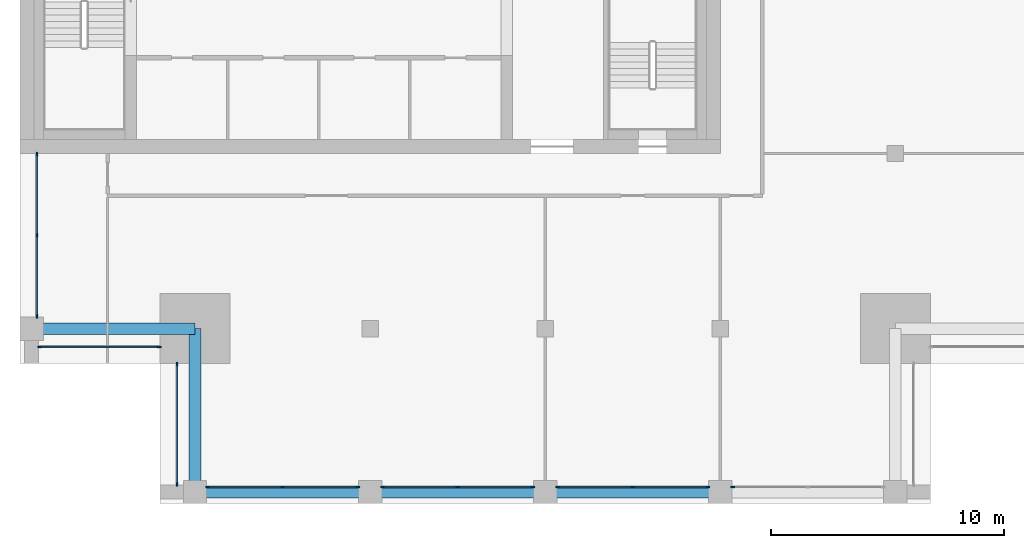
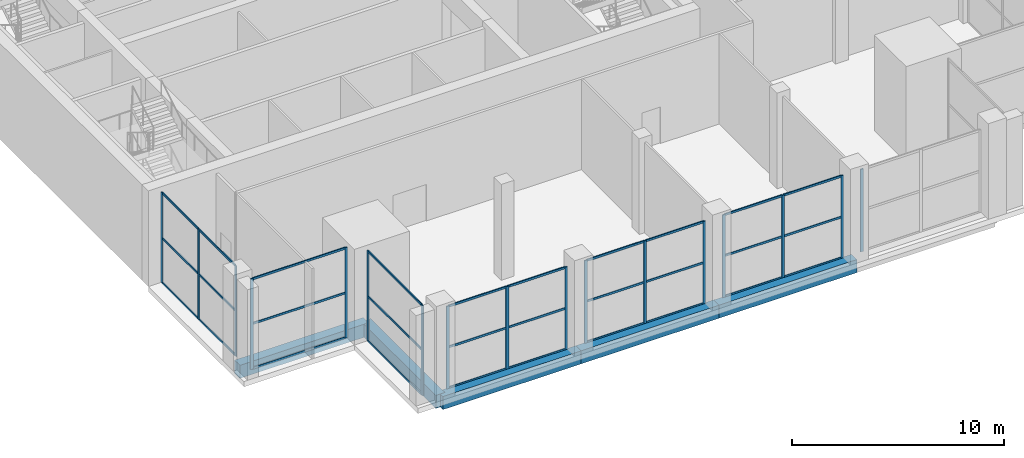
# One storey, part 2 of 15: 47 members, 5 beams, 7 elements without a shape of their own.
"""IFC4 building model written with IfcOpenShell, lengths in metres."""

from ifc_helpers import new_model, si_unit, direction, frame, origin, origin_2d, place, context, subcontext, project, spatial, rectangle, extrude, material, layer, layer_set, material_profile, profile_set, type_object, element, aggregate, save


model = new_model("IFC4")

# Units and contexts
model_context = context("Model", 3, precision=1e-05, world=origin(), true_north=direction((0.0, 1.0)))
body_context = subcontext(model_context, "Body", "Model", "MODEL_VIEW")
ifc_project = project(units=[si_unit("LENGTHUNIT", "METRE"), si_unit("AREAUNIT", "SQUARE_METRE"), si_unit("VOLUMEUNIT", "CUBIC_METRE"), si_unit("PLANEANGLEUNIT", "RADIAN"), si_unit("MASSUNIT", "GRAM", prefix="KILO")], contexts=[model_context])

# Site, building, storey
site_placement = place(None, origin())
site = spatial("IfcSite", under=ifc_project, at=site_placement, CompositionType="ELEMENT")
building_placement = place(site_placement, origin())
building = spatial("IfcBuilding", under=site, at=building_placement, Name="Tamorin Gate", CompositionType="ELEMENT")
storey_placement = place(building_placement, frame((0.0, 0.0, 292.199951171875)))
storey = spatial("IfcBuildingStorey", under=building, at=storey_placement, Name="L73", CompositionType="ELEMENT", Elevation=292.199951171875)

# Curtain wall, members
ifc_material_1 = material(Name="Aluminium mullions and transoms with clear glass", Category="aluminium")
ifc_layer = layer(ifc_material_1, 0.159912109375)
ifc_layer_set = layer_set([ifc_layer], Name="Curtain wall system CW3")
curtain_wall_type = type_object("IfcCurtainWallType", Name="Curtain wall system CW3", PredefinedType="NOTDEFINED", material=ifc_layer_set)
curtain_wall_1_placement = place(storey_placement, origin())
curtain_wall_1 = element("IfcCurtainWall", 1, at=curtain_wall_1_placement, inside=storey, type_object=curtain_wall_type, Name="Curtain wall", PredefinedType="NOTDEFINED")
ifc_material_2 = material(Name="Aluminium", Category="aluminium")
ifc_material_profile_1 = material_profile(ifc_material_2, rectangle(XDim=0.06005859375, YDim=0.159912109375, at=origin_2d()), Name="RECT 60x160")
ifc_profile_set_1 = profile_set([ifc_material_profile_1], Name="Aluminium")
member_type_1 = type_object("IfcMemberType", Name="Aluminium mullion 60x160", PredefinedType="MULLION", material=ifc_profile_set_1)
member_1_placement = place(storey_placement, frame((38.030029296875, 45.719970703125, 0.0), z_axis=(0.0, 0.0, 1.0), x_axis=(0.0, 1.0, 0.0)))
member_1 = element("IfcMember", 2, at=member_1_placement, type_object=member_type_1, Name="CW3 mullion 1", PredefinedType="MULLION", context=body_context, shape_type="SweptSolid", body=[
    extrude(rectangle(XDim=0.06005859375, YDim=0.159912109375, at=origin_2d()), origin(), (0.0, 0.0, 1.0), 4.75),
])
member_2_placement = place(storey_placement, frame((41.25, 45.719970703125, 0.0), z_axis=(0.0, 0.0, 1.0), x_axis=(0.0, 1.0, 0.0)))
member_2 = element("IfcMember", 3, at=member_2_placement, type_object=member_type_1, Name="CW3 mullion 2", PredefinedType="MULLION", context=body_context, shape_type="SweptSolid", body=[
    extrude(rectangle(XDim=0.06005859375, YDim=0.159912109375, at=origin_2d()), origin(), (0.0, 0.0, 1.0), 4.75),
])
member_3_placement = place(storey_placement, frame((44.469970703125, 45.719970703125, 0.0), z_axis=(0.0, 0.0, 1.0), x_axis=(0.0, 1.0, 0.0)))
member_3 = element("IfcMember", 4, at=member_3_placement, type_object=member_type_1, Name="CW3 mullion 3", PredefinedType="MULLION", context=body_context, shape_type="SweptSolid", body=[
    extrude(rectangle(XDim=0.06005859375, YDim=0.159912109375, at=origin_2d()), origin(), (0.0, 0.0, 1.0), 4.75),
])

curtain_wall_2_placement = place(storey_placement, origin())
curtain_wall_2 = element("IfcCurtainWall", 5, at=curtain_wall_2_placement, inside=storey, type_object=curtain_wall_type, Name="Curtain wall", PredefinedType="NOTDEFINED")
member_4_placement = place(storey_placement, frame((45.530029296875, 45.719970703125, 0.0), z_axis=(0.0, 0.0, 1.0), x_axis=(0.0, 1.0, 0.0)))
member_4 = element("IfcMember", 6, at=member_4_placement, type_object=member_type_1, Name="CW3 mullion 1", PredefinedType="MULLION", context=body_context, shape_type="SweptSolid", body=[
    extrude(rectangle(XDim=0.06005859375, YDim=0.159912109375, at=origin_2d()), origin(), (0.0, 0.0, 1.0), 4.75),
])
member_5_placement = place(storey_placement, frame((48.75, 45.719970703125, 0.0), z_axis=(0.0, 0.0, 1.0), x_axis=(0.0, 1.0, 0.0)))
member_5 = element("IfcMember", 7, at=member_5_placement, type_object=member_type_1, Name="CW3 mullion 2", PredefinedType="MULLION", context=body_context, shape_type="SweptSolid", body=[
    extrude(rectangle(XDim=0.06005859375, YDim=0.159912109375, at=origin_2d()), origin(), (0.0, 0.0, 1.0), 4.75),
])
member_6_placement = place(storey_placement, frame((51.969970703125, 45.719970703125, 0.0), z_axis=(0.0, 0.0, 1.0), x_axis=(0.0, 1.0, 0.0)))
member_6 = element("IfcMember", 8, at=member_6_placement, type_object=member_type_1, Name="CW3 mullion 3", PredefinedType="MULLION", context=body_context, shape_type="SweptSolid", body=[
    extrude(rectangle(XDim=0.06005859375, YDim=0.159912109375, at=origin_2d()), origin(), (0.0, 0.0, 1.0), 4.75),
])

curtain_wall_3_placement = place(storey_placement, origin())
curtain_wall_3 = element("IfcCurtainWall", 9, at=curtain_wall_3_placement, inside=storey, type_object=curtain_wall_type, Name="Curtain wall", PredefinedType="NOTDEFINED")
member_7_placement = place(storey_placement, frame((53.030029296875, 45.719970703125, 0.0), z_axis=(0.0, 0.0, 1.0), x_axis=(0.0, 1.0, 0.0)))
member_7 = element("IfcMember", 10, at=member_7_placement, type_object=member_type_1, Name="CW3 mullion 1", PredefinedType="MULLION", context=body_context, shape_type="SweptSolid", body=[
    extrude(rectangle(XDim=0.06005859375, YDim=0.159912109375, at=origin_2d()), origin(), (0.0, 0.0, 1.0), 4.75),
])
member_8_placement = place(storey_placement, frame((56.25, 45.719970703125, 0.0), z_axis=(0.0, 0.0, 1.0), x_axis=(0.0, 1.0, 0.0)))
member_8 = element("IfcMember", 11, at=member_8_placement, type_object=member_type_1, Name="CW3 mullion 2", PredefinedType="MULLION", context=body_context, shape_type="SweptSolid", body=[
    extrude(rectangle(XDim=0.06005859375, YDim=0.159912109375, at=origin_2d()), origin(), (0.0, 0.0, 1.0), 4.75),
])
member_9_placement = place(storey_placement, frame((59.469970703125, 45.719970703125, 0.0), z_axis=(0.0, 0.0, 1.0), x_axis=(0.0, 1.0, 0.0)))
member_9 = element("IfcMember", 12, at=member_9_placement, type_object=member_type_1, Name="CW3 mullion 3", PredefinedType="MULLION", context=body_context, shape_type="SweptSolid", body=[
    extrude(rectangle(XDim=0.06005859375, YDim=0.159912109375, at=origin_2d()), origin(), (0.0, 0.0, 1.0), 4.75),
])

# Curtain wall, member
curtain_wall_4_placement = place(storey_placement, origin())
curtain_wall_4 = element("IfcCurtainWall", 13, at=curtain_wall_4_placement, inside=storey, type_object=curtain_wall_type, Name="Curtain wall", PredefinedType="NOTDEFINED")
member_10_placement = place(storey_placement, frame((60.530029296875, 45.719970703125, 0.0), z_axis=(0.0, 0.0, 1.0), x_axis=(0.0, 1.0, 0.0)))
member_10 = element("IfcMember", 14, at=member_10_placement, type_object=member_type_1, Name="CW3 mullion 1", PredefinedType="MULLION", context=body_context, shape_type="SweptSolid", body=[
    extrude(rectangle(XDim=0.06005859375, YDim=0.159912109375, at=origin_2d()), origin(), (0.0, 0.0, 1.0), 4.75),
])
aggregate(curtain_wall_4, [member_10])

# Curtain wall, members
curtain_wall_5_placement = place(storey_placement, origin())
curtain_wall_5 = element("IfcCurtainWall", 15, at=curtain_wall_5_placement, inside=storey, type_object=curtain_wall_type, Name="Curtain wall", PredefinedType="NOTDEFINED")
member_11_placement = place(storey_placement, frame((30.719970703125, 59.969970703125, 0.0), z_axis=(0.0, 0.0, 1.0), x_axis=(1.0, 0.0, 0.0)))
member_11 = element("IfcMember", 16, at=member_11_placement, type_object=member_type_1, Name="CW3 mullion 1", PredefinedType="MULLION", context=body_context, shape_type="SweptSolid", body=[
    extrude(rectangle(XDim=0.06005859375, YDim=0.159912109375, at=origin_2d()), origin(), (0.0, 0.0, 1.0), 5.199951171875),
])
member_12_placement = place(storey_placement, frame((30.719970703125, 56.5, 0.0), z_axis=(0.0, 0.0, 1.0), x_axis=(1.0, 0.0, 0.0)))
member_12 = element("IfcMember", 17, at=member_12_placement, type_object=member_type_1, Name="CW3 mullion 2", PredefinedType="MULLION", context=body_context, shape_type="SweptSolid", body=[
    extrude(rectangle(XDim=0.06005859375, YDim=0.159912109375, at=origin_2d()), origin(), (0.0, 0.0, 1.0), 5.199951171875),
])
member_13_placement = place(storey_placement, frame((30.719970703125, 53.030029296875, 0.0), z_axis=(0.0, 0.0, 1.0), x_axis=(1.0, 0.0, 0.0)))
member_13 = element("IfcMember", 18, at=member_13_placement, type_object=member_type_1, Name="CW3 mullion 3", PredefinedType="MULLION", context=body_context, shape_type="SweptSolid", body=[
    extrude(rectangle(XDim=0.06005859375, YDim=0.159912109375, at=origin_2d()), origin(), (0.0, 0.0, 1.0), 5.199951171875),
])

curtain_wall_6_placement = place(storey_placement, origin())
curtain_wall_6 = element("IfcCurtainWall", 19, at=curtain_wall_6_placement, inside=storey, type_object=curtain_wall_type, Name="Curtain wall", PredefinedType="NOTDEFINED")
member_14_placement = place(storey_placement, frame((30.830078125, 51.719970703125, 0.0), z_axis=(0.0, 0.0, 1.0), x_axis=(0.0, 1.0, 0.0)))
member_14 = element("IfcMember", 20, at=member_14_placement, type_object=member_type_1, Name="CW3 mullion 1", PredefinedType="MULLION", context=body_context, shape_type="SweptSolid", body=[
    extrude(rectangle(XDim=0.06005859375, YDim=0.159912109375, at=origin_2d()), origin(), (0.0, 0.0, 1.0), 5.199951171875),
])
member_15_placement = place(storey_placement, frame((35.969970703125, 51.719970703125, 0.0), z_axis=(0.0, 0.0, 1.0), x_axis=(0.0, 1.0, 0.0)))
member_15 = element("IfcMember", 21, at=member_15_placement, type_object=member_type_1, Name="CW3 mullion 2", PredefinedType="MULLION", context=body_context, shape_type="SweptSolid", body=[
    extrude(rectangle(XDim=0.06005859375, YDim=0.159912109375, at=origin_2d()), origin(), (0.0, 0.0, 1.0), 5.199951171875),
])

curtain_wall_7_placement = place(storey_placement, origin())
curtain_wall_7 = element("IfcCurtainWall", 22, at=curtain_wall_7_placement, inside=storey, type_object=curtain_wall_type, Name="Curtain wall", PredefinedType="NOTDEFINED")
member_16_placement = place(storey_placement, frame((36.719970703125, 50.969970703125, 0.0), z_axis=(0.0, 0.0, 1.0), x_axis=(1.0, 0.0, 0.0)))
member_16 = element("IfcMember", 23, at=member_16_placement, type_object=member_type_1, Name="CW3 mullion 1", PredefinedType="MULLION", context=body_context, shape_type="SweptSolid", body=[
    extrude(rectangle(XDim=0.06005859375, YDim=0.159912109375, at=origin_2d()), origin(), (0.0, 0.0, 1.0), 5.199951171875),
])
member_17_placement = place(storey_placement, frame((36.719970703125, 45.830078125, 0.0), z_axis=(0.0, 0.0, 1.0), x_axis=(1.0, 0.0, 0.0)))
member_17 = element("IfcMember", 24, at=member_17_placement, type_object=member_type_1, Name="CW3 mullion 2", PredefinedType="MULLION", context=body_context, shape_type="SweptSolid", body=[
    extrude(rectangle(XDim=0.06005859375, YDim=0.159912109375, at=origin_2d()), origin(), (0.0, 0.0, 1.0), 5.199951171875),
])

# Member
ifc_material_profile_2 = material_profile(ifc_material_2, rectangle(XDim=0.06005859375, YDim=0.1201171875, at=origin_2d()), Name="RECT 60x120")
ifc_profile_set_2 = profile_set([ifc_material_profile_2], Name="Aluminium")
member_type_2 = type_object("IfcMemberType", Name="Aluminium transom 60x120", PredefinedType="USERDEFINED", material=ifc_profile_set_2)
member_18_placement = place(storey_placement, frame((38.06005859375, 45.719970703125, 0.030029296875), z_axis=(1.0, 0.0, 0.0), x_axis=(0.0, 1.0, 0.0)))
member_18 = element("IfcMember", 25, at=member_18_placement, type_object=member_type_2, Name="CW3 transom 1.1", ObjectType="TRANSOM", PredefinedType="USERDEFINED", context=body_context, shape_type="SweptSolid", body=[
    extrude(rectangle(XDim=0.06005859375, YDim=0.1201171875, at=origin_2d()), origin(), (0.0, 0.0, 1.0), 3.159912109375),
])

member_19_placement = place(storey_placement, frame((38.06005859375, 45.719970703125, 2.375), z_axis=(1.0, 0.0, 0.0), x_axis=(0.0, 1.0, 0.0)))
member_19 = element("IfcMember", 26, at=member_19_placement, type_object=member_type_2, Name="CW3 transom 1.2", ObjectType="TRANSOM", PredefinedType="USERDEFINED", context=body_context, shape_type="SweptSolid", body=[
    extrude(rectangle(XDim=0.06005859375, YDim=0.1201171875, at=origin_2d()), origin(), (0.0, 0.0, 1.0), 3.159912109375),
])

member_20_placement = place(storey_placement, frame((38.06005859375, 45.719970703125, 4.719970703125), z_axis=(1.0, 0.0, 0.0), x_axis=(0.0, 1.0, 0.0)))
member_20 = element("IfcMember", 27, at=member_20_placement, type_object=member_type_2, Name="CW3 transom 1.3", ObjectType="TRANSOM", PredefinedType="USERDEFINED", context=body_context, shape_type="SweptSolid", body=[
    extrude(rectangle(XDim=0.06005859375, YDim=0.1201171875, at=origin_2d()), origin(), (0.0, 0.0, 1.0), 3.159912109375),
])

member_21_placement = place(storey_placement, frame((41.280029296875, 45.719970703125, 0.030029296875), z_axis=(1.0, 0.0, 0.0), x_axis=(0.0, 1.0, 0.0)))
member_21 = element("IfcMember", 28, at=member_21_placement, type_object=member_type_2, Name="CW3 transom 2.1", ObjectType="TRANSOM", PredefinedType="USERDEFINED", context=body_context, shape_type="SweptSolid", body=[
    extrude(rectangle(XDim=0.06005859375, YDim=0.1201171875, at=origin_2d()), origin(), (0.0, 0.0, 1.0), 3.159912109375),
])

member_22_placement = place(storey_placement, frame((41.280029296875, 45.719970703125, 2.375), z_axis=(1.0, 0.0, 0.0), x_axis=(0.0, 1.0, 0.0)))
member_22 = element("IfcMember", 29, at=member_22_placement, type_object=member_type_2, Name="CW3 transom 2.2", ObjectType="TRANSOM", PredefinedType="USERDEFINED", context=body_context, shape_type="SweptSolid", body=[
    extrude(rectangle(XDim=0.06005859375, YDim=0.1201171875, at=origin_2d()), origin(), (0.0, 0.0, 1.0), 3.159912109375),
])

member_23_placement = place(storey_placement, frame((41.280029296875, 45.719970703125, 4.719970703125), z_axis=(1.0, 0.0, 0.0), x_axis=(0.0, 1.0, 0.0)))
member_23 = element("IfcMember", 30, at=member_23_placement, type_object=member_type_2, Name="CW3 transom 2.3", ObjectType="TRANSOM", PredefinedType="USERDEFINED", context=body_context, shape_type="SweptSolid", body=[
    extrude(rectangle(XDim=0.06005859375, YDim=0.1201171875, at=origin_2d()), origin(), (0.0, 0.0, 1.0), 3.159912109375),
])

aggregate(curtain_wall_1, [member_1, member_2, member_3, member_18, member_19, member_20, member_21, member_22, member_23])

member_24_placement = place(storey_placement, frame((45.56005859375, 45.719970703125, 0.030029296875), z_axis=(1.0, 0.0, 0.0), x_axis=(0.0, 1.0, 0.0)))
member_24 = element("IfcMember", 31, at=member_24_placement, type_object=member_type_2, Name="CW3 transom 1.1", ObjectType="TRANSOM", PredefinedType="USERDEFINED", context=body_context, shape_type="SweptSolid", body=[
    extrude(rectangle(XDim=0.06005859375, YDim=0.1201171875, at=origin_2d()), origin(), (0.0, 0.0, 1.0), 3.159912109375),
])

member_25_placement = place(storey_placement, frame((45.56005859375, 45.719970703125, 2.375), z_axis=(1.0, 0.0, 0.0), x_axis=(0.0, 1.0, 0.0)))
member_25 = element("IfcMember", 32, at=member_25_placement, type_object=member_type_2, Name="CW3 transom 1.2", ObjectType="TRANSOM", PredefinedType="USERDEFINED", context=body_context, shape_type="SweptSolid", body=[
    extrude(rectangle(XDim=0.06005859375, YDim=0.1201171875, at=origin_2d()), origin(), (0.0, 0.0, 1.0), 3.159912109375),
])

member_26_placement = place(storey_placement, frame((45.56005859375, 45.719970703125, 4.719970703125), z_axis=(1.0, 0.0, 0.0), x_axis=(0.0, 1.0, 0.0)))
member_26 = element("IfcMember", 33, at=member_26_placement, type_object=member_type_2, Name="CW3 transom 1.3", ObjectType="TRANSOM", PredefinedType="USERDEFINED", context=body_context, shape_type="SweptSolid", body=[
    extrude(rectangle(XDim=0.06005859375, YDim=0.1201171875, at=origin_2d()), origin(), (0.0, 0.0, 1.0), 3.159912109375),
])

member_27_placement = place(storey_placement, frame((48.780029296875, 45.719970703125, 0.030029296875), z_axis=(1.0, 0.0, 0.0), x_axis=(0.0, 1.0, 0.0)))
member_27 = element("IfcMember", 34, at=member_27_placement, type_object=member_type_2, Name="CW3 transom 2.1", ObjectType="TRANSOM", PredefinedType="USERDEFINED", context=body_context, shape_type="SweptSolid", body=[
    extrude(rectangle(XDim=0.06005859375, YDim=0.1201171875, at=origin_2d()), origin(), (0.0, 0.0, 1.0), 3.159912109375),
])

member_28_placement = place(storey_placement, frame((48.780029296875, 45.719970703125, 2.375), z_axis=(1.0, 0.0, 0.0), x_axis=(0.0, 1.0, 0.0)))
member_28 = element("IfcMember", 35, at=member_28_placement, type_object=member_type_2, Name="CW3 transom 2.2", ObjectType="TRANSOM", PredefinedType="USERDEFINED", context=body_context, shape_type="SweptSolid", body=[
    extrude(rectangle(XDim=0.06005859375, YDim=0.1201171875, at=origin_2d()), origin(), (0.0, 0.0, 1.0), 3.159912109375),
])

member_29_placement = place(storey_placement, frame((48.780029296875, 45.719970703125, 4.719970703125), z_axis=(1.0, 0.0, 0.0), x_axis=(0.0, 1.0, 0.0)))
member_29 = element("IfcMember", 36, at=member_29_placement, type_object=member_type_2, Name="CW3 transom 2.3", ObjectType="TRANSOM", PredefinedType="USERDEFINED", context=body_context, shape_type="SweptSolid", body=[
    extrude(rectangle(XDim=0.06005859375, YDim=0.1201171875, at=origin_2d()), origin(), (0.0, 0.0, 1.0), 3.159912109375),
])

aggregate(curtain_wall_2, [member_4, member_5, member_6, member_24, member_25, member_26, member_27, member_28, member_29])

member_30_placement = place(storey_placement, frame((53.06005859375, 45.719970703125, 0.030029296875), z_axis=(1.0, 0.0, 0.0), x_axis=(0.0, 1.0, 0.0)))
member_30 = element("IfcMember", 37, at=member_30_placement, type_object=member_type_2, Name="CW3 transom 1.1", ObjectType="TRANSOM", PredefinedType="USERDEFINED", context=body_context, shape_type="SweptSolid", body=[
    extrude(rectangle(XDim=0.06005859375, YDim=0.1201171875, at=origin_2d()), origin(), (0.0, 0.0, 1.0), 3.159912109375),
])

member_31_placement = place(storey_placement, frame((53.06005859375, 45.719970703125, 2.375), z_axis=(1.0, 0.0, 0.0), x_axis=(0.0, 1.0, 0.0)))
member_31 = element("IfcMember", 38, at=member_31_placement, type_object=member_type_2, Name="CW3 transom 1.2", ObjectType="TRANSOM", PredefinedType="USERDEFINED", context=body_context, shape_type="SweptSolid", body=[
    extrude(rectangle(XDim=0.06005859375, YDim=0.1201171875, at=origin_2d()), origin(), (0.0, 0.0, 1.0), 3.159912109375),
])

member_32_placement = place(storey_placement, frame((53.06005859375, 45.719970703125, 4.719970703125), z_axis=(1.0, 0.0, 0.0), x_axis=(0.0, 1.0, 0.0)))
member_32 = element("IfcMember", 39, at=member_32_placement, type_object=member_type_2, Name="CW3 transom 1.3", ObjectType="TRANSOM", PredefinedType="USERDEFINED", context=body_context, shape_type="SweptSolid", body=[
    extrude(rectangle(XDim=0.06005859375, YDim=0.1201171875, at=origin_2d()), origin(), (0.0, 0.0, 1.0), 3.159912109375),
])

member_33_placement = place(storey_placement, frame((56.280029296875, 45.719970703125, 0.030029296875), z_axis=(1.0, 0.0, 0.0), x_axis=(0.0, 1.0, 0.0)))
member_33 = element("IfcMember", 40, at=member_33_placement, type_object=member_type_2, Name="CW3 transom 2.1", ObjectType="TRANSOM", PredefinedType="USERDEFINED", context=body_context, shape_type="SweptSolid", body=[
    extrude(rectangle(XDim=0.06005859375, YDim=0.1201171875, at=origin_2d()), origin(), (0.0, 0.0, 1.0), 3.159912109375),
])

member_34_placement = place(storey_placement, frame((56.280029296875, 45.719970703125, 2.375), z_axis=(1.0, 0.0, 0.0), x_axis=(0.0, 1.0, 0.0)))
member_34 = element("IfcMember", 41, at=member_34_placement, type_object=member_type_2, Name="CW3 transom 2.2", ObjectType="TRANSOM", PredefinedType="USERDEFINED", context=body_context, shape_type="SweptSolid", body=[
    extrude(rectangle(XDim=0.06005859375, YDim=0.1201171875, at=origin_2d()), origin(), (0.0, 0.0, 1.0), 3.159912109375),
])

member_35_placement = place(storey_placement, frame((56.280029296875, 45.719970703125, 4.719970703125), z_axis=(1.0, 0.0, 0.0), x_axis=(0.0, 1.0, 0.0)))
member_35 = element("IfcMember", 42, at=member_35_placement, type_object=member_type_2, Name="CW3 transom 2.3", ObjectType="TRANSOM", PredefinedType="USERDEFINED", context=body_context, shape_type="SweptSolid", body=[
    extrude(rectangle(XDim=0.06005859375, YDim=0.1201171875, at=origin_2d()), origin(), (0.0, 0.0, 1.0), 3.159912109375),
])

aggregate(curtain_wall_3, [member_7, member_8, member_9, member_30, member_31, member_32, member_33, member_34, member_35])

member_36_placement = place(storey_placement, frame((30.719970703125, 59.93994140625, 0.030029296875), z_axis=(0.0, -1.0, 0.0), x_axis=(1.0, 0.0, 0.0)))
member_36 = element("IfcMember", 43, at=member_36_placement, type_object=member_type_2, Name="CW3 transom 1.1", ObjectType="TRANSOM", PredefinedType="USERDEFINED", context=body_context, shape_type="SweptSolid", body=[
    extrude(rectangle(XDim=0.06005859375, YDim=0.1201171875, at=origin_2d()), origin(), (0.0, 0.0, 1.0), 3.409912109375),
])

member_37_placement = place(storey_placement, frame((30.719970703125, 59.93994140625, 2.60009765625), z_axis=(0.0, -1.0, 0.0), x_axis=(1.0, 0.0, 0.0)))
member_37 = element("IfcMember", 44, at=member_37_placement, type_object=member_type_2, Name="CW3 transom 1.2", ObjectType="TRANSOM", PredefinedType="USERDEFINED", context=body_context, shape_type="SweptSolid", body=[
    extrude(rectangle(XDim=0.06005859375, YDim=0.1201171875, at=origin_2d()), origin(), (0.0, 0.0, 1.0), 3.409912109375),
])

member_38_placement = place(storey_placement, frame((30.719970703125, 59.93994140625, 5.170166015625), z_axis=(0.0, -1.0, 0.0), x_axis=(1.0, 0.0, 0.0)))
member_38 = element("IfcMember", 45, at=member_38_placement, type_object=member_type_2, Name="CW3 transom 1.3", ObjectType="TRANSOM", PredefinedType="USERDEFINED", context=body_context, shape_type="SweptSolid", body=[
    extrude(rectangle(XDim=0.06005859375, YDim=0.1201171875, at=origin_2d()), origin(), (0.0, 0.0, 1.0), 3.409912109375),
])

member_39_placement = place(storey_placement, frame((30.719970703125, 56.469970703125, 0.030029296875), z_axis=(0.0, -1.0, 0.0), x_axis=(1.0, 0.0, 0.0)))
member_39 = element("IfcMember", 46, at=member_39_placement, type_object=member_type_2, Name="CW3 transom 2.1", ObjectType="TRANSOM", PredefinedType="USERDEFINED", context=body_context, shape_type="SweptSolid", body=[
    extrude(rectangle(XDim=0.06005859375, YDim=0.1201171875, at=origin_2d()), origin(), (0.0, 0.0, 1.0), 3.409912109375),
])

member_40_placement = place(storey_placement, frame((30.719970703125, 56.469970703125, 2.60009765625), z_axis=(0.0, -1.0, 0.0), x_axis=(1.0, 0.0, 0.0)))
member_40 = element("IfcMember", 47, at=member_40_placement, type_object=member_type_2, Name="CW3 transom 2.2", ObjectType="TRANSOM", PredefinedType="USERDEFINED", context=body_context, shape_type="SweptSolid", body=[
    extrude(rectangle(XDim=0.06005859375, YDim=0.1201171875, at=origin_2d()), origin(), (0.0, 0.0, 1.0), 3.409912109375),
])

member_41_placement = place(storey_placement, frame((30.719970703125, 56.469970703125, 5.170166015625), z_axis=(0.0, -1.0, 0.0), x_axis=(1.0, 0.0, 0.0)))
member_41 = element("IfcMember", 48, at=member_41_placement, type_object=member_type_2, Name="CW3 transom 2.3", ObjectType="TRANSOM", PredefinedType="USERDEFINED", context=body_context, shape_type="SweptSolid", body=[
    extrude(rectangle(XDim=0.06005859375, YDim=0.1201171875, at=origin_2d()), origin(), (0.0, 0.0, 1.0), 3.409912109375),
])

aggregate(curtain_wall_5, [member_11, member_12, member_13, member_36, member_37, member_38, member_39, member_40, member_41])

member_42_placement = place(storey_placement, frame((30.860107421875, 51.719970703125, 0.030029296875), z_axis=(1.0, 0.0, 0.0), x_axis=(0.0, 1.0, 0.0)))
member_42 = element("IfcMember", 49, at=member_42_placement, type_object=member_type_2, Name="CW3 transom 1.1", ObjectType="TRANSOM", PredefinedType="USERDEFINED", context=body_context, shape_type="SweptSolid", body=[
    extrude(rectangle(XDim=0.06005859375, YDim=0.1201171875, at=origin_2d()), origin(), (0.0, 0.0, 1.0), 5.079833984375),
])

member_43_placement = place(storey_placement, frame((30.860107421875, 51.719970703125, 2.60009765625), z_axis=(1.0, 0.0, 0.0), x_axis=(0.0, 1.0, 0.0)))
member_43 = element("IfcMember", 50, at=member_43_placement, type_object=member_type_2, Name="CW3 transom 1.2", ObjectType="TRANSOM", PredefinedType="USERDEFINED", context=body_context, shape_type="SweptSolid", body=[
    extrude(rectangle(XDim=0.06005859375, YDim=0.1201171875, at=origin_2d()), origin(), (0.0, 0.0, 1.0), 5.079833984375),
])

member_44_placement = place(storey_placement, frame((30.860107421875, 51.719970703125, 5.170166015625), z_axis=(1.0, 0.0, 0.0), x_axis=(0.0, 1.0, 0.0)))
member_44 = element("IfcMember", 51, at=member_44_placement, type_object=member_type_2, Name="CW3 transom 1.3", ObjectType="TRANSOM", PredefinedType="USERDEFINED", context=body_context, shape_type="SweptSolid", body=[
    extrude(rectangle(XDim=0.06005859375, YDim=0.1201171875, at=origin_2d()), origin(), (0.0, 0.0, 1.0), 5.079833984375),
])

aggregate(curtain_wall_6, [member_14, member_15, member_42, member_43, member_44])

member_45_placement = place(storey_placement, frame((36.719970703125, 50.93994140625, 0.030029296875), z_axis=(0.0, -1.0, 0.0), x_axis=(1.0, 0.0, 0.0)))
member_45 = element("IfcMember", 52, at=member_45_placement, type_object=member_type_2, Name="CW3 transom 1.1", ObjectType="TRANSOM", PredefinedType="USERDEFINED", context=body_context, shape_type="SweptSolid", body=[
    extrude(rectangle(XDim=0.06005859375, YDim=0.1201171875, at=origin_2d()), origin(), (0.0, 0.0, 1.0), 5.079833984375),
])

member_46_placement = place(storey_placement, frame((36.719970703125, 50.93994140625, 2.60009765625), z_axis=(0.0, -1.0, 0.0), x_axis=(1.0, 0.0, 0.0)))
member_46 = element("IfcMember", 53, at=member_46_placement, type_object=member_type_2, Name="CW3 transom 1.2", ObjectType="TRANSOM", PredefinedType="USERDEFINED", context=body_context, shape_type="SweptSolid", body=[
    extrude(rectangle(XDim=0.06005859375, YDim=0.1201171875, at=origin_2d()), origin(), (0.0, 0.0, 1.0), 5.079833984375),
])

member_47_placement = place(storey_placement, frame((36.719970703125, 50.93994140625, 5.170166015625), z_axis=(0.0, -1.0, 0.0), x_axis=(1.0, 0.0, 0.0)))
member_47 = element("IfcMember", 54, at=member_47_placement, type_object=member_type_2, Name="CW3 transom 1.3", ObjectType="TRANSOM", PredefinedType="USERDEFINED", context=body_context, shape_type="SweptSolid", body=[
    extrude(rectangle(XDim=0.06005859375, YDim=0.1201171875, at=origin_2d()), origin(), (0.0, 0.0, 1.0), 5.079833984375),
])

aggregate(curtain_wall_7, [member_16, member_17, member_45, member_46, member_47])

# Beams
ifc_material_3 = material(Name="Concrete C50/60", Category="concrete")
ifc_material_profile_3 = material_profile(ifc_material_3, rectangle(XDim=0.5, YDim=0.75, at=origin_2d()), Name="RC 500x750")
ifc_profile_set_3 = profile_set([ifc_material_profile_3], Name="Concrete C50/60")
beam_type = type_object("IfcBeamType", Name="RC spandrel 500x750 C50/60", PredefinedType="BEAM", material=ifc_profile_set_3)
for number, where, z_axis, x_axis, name in (
    (55, (37.5, 45.5, -0.375), (1.0, 0.0, 0.0), (0.0, 1.0, 0.0), "Spandrel beam L73"),
    (56, (45.0, 45.5, -0.375), (1.0, 0.0, 0.0), (0.0, 1.0, 0.0), "Spandrel beam L73"),
    (57, (52.5, 45.5, -0.375), (1.0, 0.0, 0.0), (0.0, 1.0, 0.0), "Spandrel beam L73"),
):
    element("IfcBeam", number, at=place(storey_placement, frame(where, z_axis=z_axis, x_axis=x_axis)), inside=storey, type_object=beam_type, Name=name, PredefinedType="BEAM", context=body_context, shape_type="SweptSolid", body=[
        extrude(rectangle(XDim=0.5, YDim=0.75, at=origin_2d()), origin(), (0.0, 0.0, 1.0), 7.5),
    ])
for number, where, z_axis, x_axis, name in (
    (58, (37.5, 52.5, -0.375), (-1.0, 0.0, 0.0), (0.0, -1.0, 0.0), "Corner tie beam L73"),
    (59, (37.5, 52.5, -0.375), (0.0, -1.0, 0.0), (1.0, 0.0, 0.0), "Corner tie beam L73"),
):
    element("IfcBeam", number, at=place(storey_placement, frame(where, z_axis=z_axis, x_axis=x_axis)), inside=storey, type_object=beam_type, Name=name, PredefinedType="BEAM", context=body_context, shape_type="SweptSolid", body=[
        extrude(rectangle(XDim=0.5, YDim=0.75, at=origin_2d()), origin(), (0.0, 0.0, 1.0), 7.0),
    ])

save(model, "model.ifc")
